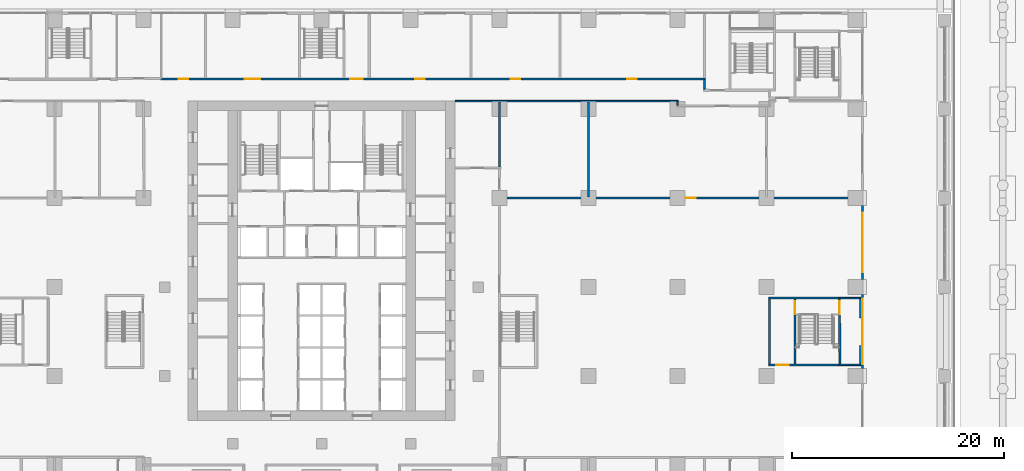
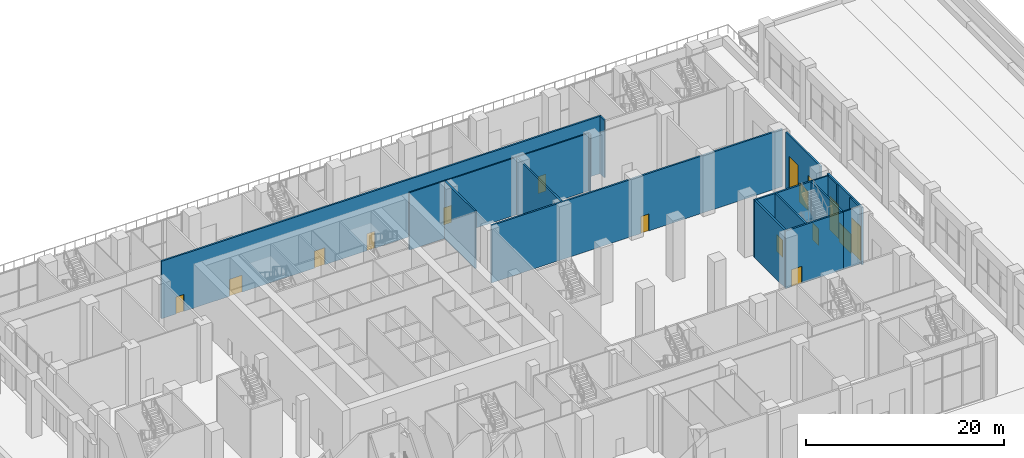
# One storey, part 29 of 53: 18 walls, 12 doors, 4 windows, 16 openings.
"""IFC4 building model written with IfcOpenShell, lengths in metres."""

import ifcopenshell
import ifcopenshell.guid

model = None  # the IFC model being written
_history = None  # IfcOwnerHistory: only IFC2X3 demands one
_inside = {}  # id of a spatial element -> (the spatial element, [elements in it])
_under = {}  # id of a project, library or spatial element -> (it, [spatial elements below it])
_declared = {}  # id of a project -> (the project, [libraries it declares])
_typed = {}  # id of a type object -> (the type object, [elements of that type])
_made_of = {}  # id of a material, layer set ... -> (it, [elements and type objects made of it])


def new_model(schema):
    """Start an empty IFC model of exactly this schema.

    Asked for "IFC4X3", IfcOpenShell would pick the latest addendum, in which some entities
    have other attributes; the version numbers below select the first issue.
    IFC2X3 requires an IfcOwnerHistory on every rooted entity: one is made here for all.
    """
    global model, _history
    if schema == "IFC4X3":
        model = ifcopenshell.file(schema_version=(4, 3, 0, 0))
    else:
        model = ifcopenshell.file(schema=schema)
    _inside.clear()
    _under.clear()
    _declared.clear()
    _typed.clear()
    _made_of.clear()
    _history = None
    if model.schema == "IFC2X3":
        org = make("IfcOrganization", Name="unknown")
        user = make(
            "IfcPersonAndOrganization",
            ThePerson=make("IfcPerson", FamilyName="unknown"),
            TheOrganization=org,
        )
        app = make(
            "IfcApplication",
            ApplicationDeveloper=org,
            Version="unknown",
            ApplicationFullName="unknown",
            ApplicationIdentifier="unknown",
        )
        _history = make(
            "IfcOwnerHistory",
            OwningUser=user,
            OwningApplication=app,
            ChangeAction="ADDED",
            CreationDate=0,
        )
    return model


def make(cls, **values):
    """One entity of the class cls with the attributes given. An attribute that is None is left unset."""
    return model.create_entity(
        cls, **{name: value for name, value in values.items() if value is not None}
    )


def rooted(cls, **values):
    """An entity with a GlobalId (a new one), such as an element, a storey or a relation."""
    return make(cls, GlobalId=ifcopenshell.guid.new(), OwnerHistory=_history, **values)


def si_unit(unit_type, name, prefix=None):
    """IfcSIUnit, for example si_unit("LENGTHUNIT", "METRE", prefix="MILLI")."""
    return make("IfcSIUnit", UnitType=unit_type, Prefix=prefix, Name=name)


def assignment(units):
    """IfcUnitAssignment: the units of a project."""
    return None if units is None else make("IfcUnitAssignment", Units=units)


def point(xyz):
    """IfcCartesianPoint."""
    return None if xyz is None else make("IfcCartesianPoint", Coordinates=xyz)


def direction(xyz):
    """IfcDirection."""
    return None if xyz is None else make("IfcDirection", DirectionRatios=xyz)


def frame(location, z_axis=None, x_axis=None):
    """IfcAxis2Placement3D, a coordinate frame: its origin and axes. An axis left out is left unset."""
    return make(
        "IfcAxis2Placement3D",
        Location=point(location),
        Axis=direction(z_axis),
        RefDirection=direction(x_axis),
    )


def frame_2d(location, x_axis=None):
    """IfcAxis2Placement2D, a coordinate frame in the plane: its origin and x axis."""
    return make(
        "IfcAxis2Placement2D", Location=point(location), RefDirection=direction(x_axis)
    )


def origin():
    """The frame at (0, 0, 0) with its axes left unset."""
    return frame((0.0, 0.0, 0.0))


def place(relative_to, where):
    """IfcLocalPlacement: puts the frame where relative to a parent placement (None: the world)."""
    return make(
        "IfcLocalPlacement", PlacementRelTo=relative_to, RelativePlacement=where
    )


def context(
    kind, dimensions, precision=None, world=None, true_north=None, identifier=None
):
    """IfcGeometricRepresentationContext, for example the 3D "Model" context."""
    return make(
        "IfcGeometricRepresentationContext",
        ContextIdentifier=identifier,
        ContextType=kind,
        CoordinateSpaceDimension=dimensions,
        Precision=precision,
        WorldCoordinateSystem=world,
        TrueNorth=true_north,
    )


def subcontext(parent, identifier, kind, view, scale=None):
    """IfcGeometricRepresentationSubContext, for example "Body" below "Model"."""
    return make(
        "IfcGeometricRepresentationSubContext",
        ContextIdentifier=identifier,
        ContextType=kind,
        ParentContext=parent,
        TargetScale=scale,
        TargetView=view,
    )


def project(units=None, contexts=None):
    """IfcProject with its units and contexts."""
    return rooted(
        "IfcProject",
        Name="project",
        RepresentationContexts=contexts,
        UnitsInContext=assignment(units),
    )


def spatial(cls, under=None, at=None, **own):
    """A site, building, storey or space (cls), placed at a placement, below another one or the project."""
    s = rooted(cls, ObjectPlacement=at, **own)
    if under is not None:
        _under.setdefault(under.id(), (under, []))[1].append(s)
    return s


def profile(cls, at=None, kind="AREA", **sizes):
    """A parametric profile (cls). Its sizes go by their IFC names, for example OverallWidth=200.0."""
    return make(cls, ProfileType=kind, Position=at, **sizes)


def rectangle(**sizes):
    """IfcRectangleProfileDef."""
    return profile("IfcRectangleProfileDef", **sizes)


def extrude(swept, where, along, depth):
    """IfcExtrudedAreaSolid: the profile swept, set in the frame where, extruded along a direction by depth."""
    return make(
        "IfcExtrudedAreaSolid",
        SweptArea=swept,
        Position=where,
        ExtrudedDirection=direction(along),
        Depth=depth,
    )


def shape(context_of_items, identifier, shape_type, items):
    """IfcShapeRepresentation: the items that make up one representation, for example the "Body"."""
    return make(
        "IfcShapeRepresentation",
        ContextOfItems=context_of_items,
        RepresentationIdentifier=identifier,
        RepresentationType=shape_type,
        Items=items,
    )


def material(Name=None, Category=None):
    """IfcMaterial."""
    return make("IfcMaterial", Name=Name, Category=Category)


def layer(
    of_material, thickness, ventilated=None, Name=None, Category=None, Priority=None
):
    """IfcMaterialLayer: one layer of a wall or slab, of a material (None: an air gap)."""
    return make(
        "IfcMaterialLayer",
        Material=of_material,
        LayerThickness=thickness,
        IsVentilated=ventilated,
        Name=Name,
        Category=Category,
        Priority=Priority,
    )


def layer_set(layers, Name=None):
    """IfcMaterialLayerSet."""
    return make("IfcMaterialLayerSet", MaterialLayers=layers, LayerSetName=Name)


def made_of(thing, what):
    """Note that an element or type object is made of a material, layer set ...; save() writes the relation."""
    if what is not None:
        _made_of.setdefault(what.id(), (what, []))[1].append(thing)
    return thing


def type_object(cls, material=None, **own):
    """A type object (cls), such as IfcWallType, which elements share."""
    return made_of(rooted(cls, **own), material)


def element(
    cls,
    number,
    at=None,
    inside=None,
    cuts=None,
    type_object=None,
    material=None,
    context=None,
    identifier="Body",
    shape_type=None,
    held_by="IfcProductDefinitionShape",
    body=None,
    shapes=None,
    **own,
):
    """One element of the class cls, such as IfcWall. Its Tag is "e" and its number.

    at: its placement. inside: the storey or other place that contains it. cuts: it is an
    opening in that element (IfcRelVoidsElement). A single representation is given by context,
    identifier, shape_type and body (its items); several are given by shapes. held_by: the class
    of the entity that holds the representations. save() writes the other relations.
    """
    e = rooted(cls, Tag="e%d" % number, ObjectPlacement=at, **own)
    if body is not None:
        shapes = [shape(context, identifier, shape_type, body)]
    if shapes is not None:
        e.Representation = make(held_by, Representations=shapes)
    if inside is not None:
        _inside.setdefault(inside.id(), (inside, []))[1].append(e)
    if cuts is not None:
        rooted(
            "IfcRelVoidsElement", RelatingBuildingElement=cuts, RelatedOpeningElement=e
        )
    if type_object is not None:
        _typed.setdefault(type_object.id(), (type_object, []))[1].append(e)
    return made_of(e, material)


def fill(opening, filler):
    """IfcRelFillsElement: the door or window that sits in an opening."""
    return rooted(
        "IfcRelFillsElement",
        RelatingOpeningElement=opening,
        RelatedBuildingElement=filler,
    )


def aggregate(whole, parts):
    """IfcRelAggregates: a whole, such as a stair, and the parts it consists of."""
    return rooted("IfcRelAggregates", RelatingObject=whole, RelatedObjects=parts)


def save(model, path):
    """Write the relations noted so far, then the file.

    IfcRelAggregates (storeys below a building ...), IfcRelContainedInSpatialStructure (elements
    in a storey), IfcRelDefinesByType, IfcRelAssociatesMaterial and IfcRelDeclares: one each for
    every whole, place, type object, material and project.
    """
    for whole, parts in _under.values():
        aggregate(whole, parts)
    for where, things in _inside.values():
        rooted(
            "IfcRelContainedInSpatialStructure",
            RelatedElements=things,
            RelatingStructure=where,
        )
    for kind, things in _typed.values():
        rooted("IfcRelDefinesByType", RelatedObjects=things, RelatingType=kind)
    for what, things in _made_of.values():
        rooted("IfcRelAssociatesMaterial", RelatedObjects=things, RelatingMaterial=what)
    for by, libraries in _declared.values():
        rooted("IfcRelDeclares", RelatingContext=by, RelatedDefinitions=libraries)
    model.write(path)


model = new_model("IFC4")

# Units and contexts
model_context = context("Model", 3, precision=1e-05, world=origin(), true_north=direction((0.0, 1.0)))
body_context = subcontext(model_context, "Body", "Model", "MODEL_VIEW")
ifc_project = project(units=[si_unit("LENGTHUNIT", "METRE"), si_unit("AREAUNIT", "SQUARE_METRE"), si_unit("VOLUMEUNIT", "CUBIC_METRE"), si_unit("PLANEANGLEUNIT", "RADIAN"), si_unit("MASSUNIT", "GRAM", prefix="KILO")], contexts=[model_context])

# Site, building, storey
site_placement = place(None, origin())
site = spatial("IfcSite", under=ifc_project, at=site_placement, CompositionType="ELEMENT")
building_placement = place(site_placement, origin())
building = spatial("IfcBuilding", under=site, at=building_placement, Name="Vermilion Ogive Tower", CompositionType="ELEMENT")
storey_placement = place(building_placement, origin())
storey = spatial("IfcBuildingStorey", under=building, at=storey_placement, Name="L00", CompositionType="ELEMENT", Elevation=0.0)

# Walls
ifc_material_1 = material(Name="Gypsum board partition on steel studs", Category="steel")
ifc_layer_1 = layer(ifc_material_1, 0.14990234375)
ifc_layer_set_1 = layer_set([ifc_layer_1], Name="Partition 150 corridor")
wall_type_1 = type_object("IfcWallType", Name="Partition 150 corridor", PredefinedType="PARTITIONING", material=ifc_layer_set_1)
for number, where, z_axis, x_axis, name in (
    (1, (48.824951171875, -3.14990234375, 0.0), (0.0, 0.0, 1.0), (1.0, 0.0, 0.0), "L00-FS-W-W029"),
    (2, (48.824951171875, 3.14990234375, 0.0), (0.0, 0.0, 1.0), (1.0, 0.0, 0.0), "L00-FS-W-W032"),
):
    element("IfcWall", number, at=place(storey_placement, frame(where, z_axis=z_axis, x_axis=x_axis)), inside=storey, type_object=wall_type_1, Name=name, PredefinedType="PARTITIONING", context=body_context, shape_type="SweptSolid", body=[
        extrude(rectangle(XDim=2.10009765625, YDim=0.14990234375, at=frame_2d((1.050048828125, 0.0))), origin(), (0.0, 0.0, 1.0), 7.10009765625),
    ])
wall_1_placement = place(storey_placement, frame((12.60107421875, 21.75, 0.0), z_axis=(0.0, 0.0, 1.0), x_axis=(1.0, 0.0, 0.0)))
element("IfcWall", 3, at=wall_1_placement, inside=storey, type_object=wall_type_1, Name="L00-FS-W-W038", PredefinedType="PARTITIONING", context=body_context, shape_type="SweptSolid", body=[
    extrude(rectangle(XDim=21.073974609375, YDim=0.14990234375, at=frame_2d((10.537109375, 0.0))), origin(), (0.0, 0.0, 1.0), 7.10009765625),
])
wall_2_placement = place(storey_placement, frame((33.60009765625, 21.375, 0.0), z_axis=(0.0, 0.0, 1.0), x_axis=(0.0, 1.0, 0.0)))
element("IfcWall", 4, at=wall_2_placement, inside=storey, type_object=wall_type_1, Name="L00-FS-W-W104", PredefinedType="PARTITIONING", context=body_context, shape_type="SweptSolid", body=[
    extrude(rectangle(XDim=0.300048828125, YDim=0.14990234375, at=frame_2d((0.14990234375, 0.0))), origin(), (0.0, 0.0, 1.0), 7.10009765625),
])
wall_3_placement = place(storey_placement, frame((36.14990234375, 22.875, 0.0), z_axis=(0.0, 0.0, 1.0), x_axis=(0.0, 1.0, 0.0)))
element("IfcWall", 5, at=wall_3_placement, inside=storey, type_object=wall_type_1, Name="L00-FS-W-W107", PredefinedType="PARTITIONING", context=body_context, shape_type="SweptSolid", body=[
    extrude(rectangle(XDim=0.89990234375, YDim=0.14990234375, at=frame_2d((0.449951171875, 0.0))), origin(), (0.0, 0.0, 1.0), 7.10009765625),
])
for number, where, z_axis, x_axis, name in (
    (6, (50.873046875, -3.074951171875, 0.0), (0.0, 0.0, 1.0), (0.0, 1.0, 0.0), "L00-FS-W-W127"),
    (7, (50.873046875, 1.324951171875, 0.0), (0.0, 0.0, 1.0), (0.0, 1.0, 0.0), "L00-FS-W-W127"),
):
    element("IfcWall", number, at=place(storey_placement, frame(where, z_axis=z_axis, x_axis=x_axis)), inside=storey, type_object=wall_type_1, Name=name, PredefinedType="PARTITIONING", context=body_context, shape_type="SweptSolid", body=[
        extrude(rectangle(XDim=1.75, YDim=0.14990234375, at=frame_2d((0.875, 0.0))), origin(), (0.0, 0.0, 1.0), 7.10009765625),
    ])

# Wall, opening, door
ifc_material_2 = material(Name="Gypsum board partition on steel studs", Category="steel")
ifc_layer_2 = layer(ifc_material_2, 0.199951171875)
ifc_layer_set_2 = layer_set([ifc_layer_2], Name="Partition 200 party")
wall_type_2 = type_object("IfcWallType", Name="Partition 200 party", PredefinedType="PARTITIONING", material=ifc_layer_set_2)
wall_4_placement = place(storey_placement, frame((16.875, 12.60009765625, 0.0), z_axis=(0.0, 0.0, 1.0), x_axis=(1.0, 0.0, 0.0)))
wall_4 = element("IfcWall", 8, at=wall_4_placement, inside=storey, type_object=wall_type_2, Name="L00-FS-W-W034", PredefinedType="PARTITIONING", context=body_context, shape_type="SweptSolid", body=[
    extrude(rectangle(XDim=34.074951171875, YDim=0.199951171875, at=frame_2d((17.03759765625, 0.0))), origin(), (0.0, 0.0, 1.0), 7.10009765625),
])
opening_1_placement = place(wall_4_placement, frame((17.52490234375, 0.0, 0.0)))
opening_1 = element("IfcOpeningElement", 9, at=opening_1_placement, cuts=wall_4, Name="Opening L00S045", PredefinedType="OPENING", context=body_context, shape_type="SweptSolid", body=[
    extrude(rectangle(XDim=0.89990234375, YDim=2.10009765625, at=frame_2d((0.449951171875, 1.050048828125))), frame((0.0, 0.10986328125, 0.0), z_axis=(0.0, -1.0, 0.0), x_axis=(1.0, 0.0, 0.0)), (0.0, 0.0, 1.0), 0.219970703125),
])
ifc_material_3 = material(Name="Timber door leaf", Category="wood")
door_type_1 = type_object("IfcDoorType", Name="Room door 900 x 2100 FD30", OperationType="SINGLE_SWING_LEFT", PredefinedType="DOOR", material=ifc_material_3)
door_1_placement = place(opening_1_placement, origin())
door_1 = element("IfcDoor", 10, at=door_1_placement, inside=storey, type_object=door_type_1, Name="L00-FS-D-D045", OperationType="SINGLE_SWING_RIGHT", OverallHeight=2.10009765625, OverallWidth=0.89990234375, PredefinedType="DOOR", context=body_context, shape_type="SweptSolid", body=[
    extrude(rectangle(XDim=0.89990234375, YDim=2.10009765625, at=frame_2d((0.449951171875, 1.050048828125))), frame((0.0, 0.02490234375, 0.0), z_axis=(0.0, -1.0, 0.0), x_axis=(1.0, 0.0, 0.0)), (0.0, 0.0, 1.0), 0.050048828125),
])
fill(opening_1, door_1)

# Walls
wall_5_placement = place(storey_placement, frame((16.800048828125, 15.52490234375, 0.0), z_axis=(0.0, 0.0, 1.0), x_axis=(0.0, 1.0, 0.0)))
element("IfcWall", 11, at=wall_5_placement, inside=storey, type_object=wall_type_2, Name="L00-FS-W-W092", PredefinedType="PARTITIONING", context=body_context, shape_type="SweptSolid", body=[
    extrude(rectangle(XDim=6.150146484375, YDim=0.199951171875, at=frame_2d((3.0751953125, 0.0))), origin(), (0.0, 0.0, 1.0), 7.10009765625),
])
wall_6_placement = place(storey_placement, frame((25.199951171875, 12.699951171875, 0.0), z_axis=(0.0, 0.0, 1.0), x_axis=(0.0, 1.0, 0.0)))
element("IfcWall", 12, at=wall_6_placement, inside=storey, type_object=wall_type_2, Name="L00-FS-W-W100", PredefinedType="PARTITIONING", context=body_context, shape_type="SweptSolid", body=[
    extrude(rectangle(XDim=8.97509765625, YDim=0.199951171875, at=frame_2d((4.487548828125, 0.0))), origin(), (0.0, 0.0, 1.0), 7.10009765625),
])
wall_7_placement = place(storey_placement, frame((42.300048828125, -3.050048828125, 0.0), z_axis=(0.0, 0.0, 1.0), x_axis=(0.0, 1.0, 0.0)))
element("IfcWall", 13, at=wall_7_placement, inside=storey, type_object=wall_type_2, Name="L00-FS-W-W113", PredefinedType="PARTITIONING", context=body_context, shape_type="SweptSolid", body=[
    extrude(rectangle(XDim=6.10009765625, YDim=0.199951171875, at=frame_2d((3.050048828125, 0.0))), origin(), (0.0, 0.0, 1.0), 7.10009765625),
])

# Wall, opening, door
ifc_material_4 = material(Name="Concrete B60", Category="concrete")
ifc_layer_3 = layer(ifc_material_4, 0.199951171875)
ifc_layer_set_3 = layer_set([ifc_layer_3], Name="Stair shaft wall 200 Concrete B60")
wall_type_3 = type_object("IfcWallType", Name="Stair shaft wall 200 Concrete B60", PredefinedType="SOLIDWALL", material=ifc_layer_set_3)
wall_8_placement = place(storey_placement, frame((42.199951171875, -3.14990234375, 0.0), z_axis=(0.0, 0.0, 1.0), x_axis=(1.0, 0.0, 0.0)))
wall_8 = element("IfcWall", 14, at=wall_8_placement, inside=storey, type_object=wall_type_3, Name="L00-FS-W-W028", PredefinedType="SOLIDWALL", context=body_context, shape_type="SweptSolid", body=[
    extrude(rectangle(XDim=6.775146484375, YDim=0.199951171875, at=frame_2d((3.3876953125, 0.0))), origin(), (0.0, 0.0, 1.0), 7.10009765625),
])
opening_2_placement = place(wall_8_placement, frame((0.699951171875, 0.0, 0.0)))
opening_2 = element("IfcOpeningElement", 15, at=opening_2_placement, cuts=wall_8, Name="Opening L00S024", PredefinedType="OPENING", context=body_context, shape_type="SweptSolid", body=[
    extrude(rectangle(XDim=1.199951171875, YDim=2.10009765625, at=frame_2d((0.60009765625, 1.050048828125))), frame((0.0, 0.10986328125, 0.0), z_axis=(0.0, -1.0, 0.0), x_axis=(1.0, 0.0, 0.0)), (0.0, 0.0, 1.0), 0.219970703125),
])
ifc_material_5 = material(Name="Timber door leaf", Category="wood")
door_type_2 = type_object("IfcDoorType", Name="Stair door 1200 x 2100 FD60S", OperationType="SINGLE_SWING_LEFT", PredefinedType="DOOR", material=ifc_material_5)
door_2_placement = place(opening_2_placement, origin())
door_2 = element("IfcDoor", 16, at=door_2_placement, inside=storey, type_object=door_type_2, Name="L00-FS-D-D024", OperationType="SINGLE_SWING_LEFT", OverallHeight=2.10009765625, OverallWidth=1.199951171875, PredefinedType="DOOR", context=body_context, shape_type="SweptSolid", body=[
    extrude(rectangle(XDim=1.199951171875, YDim=2.10009765625, at=frame_2d((0.60009765625, 1.050048828125))), frame((0.0, 0.02490234375, 0.0), z_axis=(0.0, -1.0, 0.0), x_axis=(1.0, 0.0, 0.0)), (0.0, 0.0, 1.0), 0.050048828125),
])
fill(opening_2, door_2)

# Wall
wall_9_placement = place(storey_placement, frame((42.199951171875, 3.14990234375, 0.0), z_axis=(0.0, 0.0, 1.0), x_axis=(1.0, 0.0, 0.0)))
element("IfcWall", 17, at=wall_9_placement, inside=storey, type_object=wall_type_3, Name="L00-FS-W-W031", PredefinedType="SOLIDWALL", context=body_context, shape_type="SweptSolid", body=[
    extrude(rectangle(XDim=6.775146484375, YDim=0.199951171875, at=frame_2d((3.3876953125, 0.0))), origin(), (0.0, 0.0, 1.0), 7.10009765625),
])

# Wall, openings, doors
wall_10_placement = place(storey_placement, frame((-15.199951171875, 23.8251953125, 0.0), z_axis=(0.0, 0.0, 1.0), x_axis=(1.0, 0.0, 0.0)))
wall_10 = element("IfcWall", 18, at=wall_10_placement, inside=storey, type_object=wall_type_3, Name="L00-FS-W-W045", PredefinedType="SOLIDWALL", context=body_context, shape_type="SweptSolid", body=[
    extrude(rectangle(XDim=51.449951171875, YDim=0.199951171875, at=frame_2d((25.72509765625, 0.0))), origin(), (0.0, 0.0, 1.0), 7.10009765625),
])
opening_3_placement = place(wall_10_placement, frame((17.89990234375, 0.0, 0.0)))
opening_3 = element("IfcOpeningElement", 19, at=opening_3_placement, cuts=wall_10, Name="Opening L00S021", PredefinedType="OPENING", context=body_context, shape_type="SweptSolid", body=[
    extrude(rectangle(XDim=1.199951171875, YDim=2.10009765625, at=frame_2d((0.60009765625, 1.050048828125))), frame((0.0, 0.10986328125, 0.0), z_axis=(0.0, -1.0, 0.0), x_axis=(1.0, 0.0, 0.0)), (0.0, 0.0, 1.0), 0.219970703125),
])
opening_4_placement = place(wall_10_placement, frame((1.699951171875, 0.0, 0.0)))
opening_4 = element("IfcOpeningElement", 20, at=opening_4_placement, cuts=wall_10, Name="Opening L00S059", PredefinedType="OPENING", context=body_context, shape_type="SweptSolid", body=[
    extrude(rectangle(XDim=0.89990234375, YDim=2.10009765625, at=frame_2d((0.449951171875, 1.050048828125))), frame((0.0, 0.10986328125, 0.0), z_axis=(0.0, -1.0, 0.0), x_axis=(1.0, 0.0, 0.0)), (0.0, 0.0, 1.0), 0.219970703125),
])
opening_5_placement = place(wall_10_placement, frame((7.925048828125, 0.0, 0.0)))
opening_5 = element("IfcOpeningElement", 21, at=opening_5_placement, cuts=wall_10, Name="Opening L00S060", PredefinedType="OPENING", context=body_context, shape_type="SweptSolid", body=[
    extrude(rectangle(XDim=1.5, YDim=2.10009765625, at=frame_2d((0.75, 1.050048828125))), frame((0.0, 0.10986328125, 0.0), z_axis=(0.0, -1.0, 0.0), x_axis=(1.0, 0.0, 0.0)), (0.0, 0.0, 1.0), 0.219970703125),
])
opening_6_placement = place(wall_10_placement, frame((24.050048828125, 0.0, 0.0)))
opening_6 = element("IfcOpeningElement", 22, at=opening_6_placement, cuts=wall_10, Name="Opening L00S061", PredefinedType="OPENING", context=body_context, shape_type="SweptSolid", body=[
    extrude(rectangle(XDim=0.89990234375, YDim=2.10009765625, at=frame_2d((0.449951171875, 1.050048828125))), frame((0.0, 0.10986328125, 0.0), z_axis=(0.0, -1.0, 0.0), x_axis=(1.0, 0.0, 0.0)), (0.0, 0.0, 1.0), 0.219970703125),
])
opening_7_placement = place(wall_10_placement, frame((33.050048828125, 0.0, 0.0)))
opening_7 = element("IfcOpeningElement", 23, at=opening_7_placement, cuts=wall_10, Name="Opening L00S062", PredefinedType="OPENING", context=body_context, shape_type="SweptSolid", body=[
    extrude(rectangle(XDim=0.89990234375, YDim=2.10009765625, at=frame_2d((0.449951171875, 1.050048828125))), frame((0.0, 0.10986328125, 0.0), z_axis=(0.0, -1.0, 0.0), x_axis=(1.0, 0.0, 0.0)), (0.0, 0.0, 1.0), 0.219970703125),
])
opening_8_placement = place(wall_10_placement, frame((44.074951171875, 0.0, 0.0)))
opening_8 = element("IfcOpeningElement", 24, at=opening_8_placement, cuts=wall_10, Name="Opening L00S063", PredefinedType="OPENING", context=body_context, shape_type="SweptSolid", body=[
    extrude(rectangle(XDim=0.89990234375, YDim=2.10009765625, at=frame_2d((0.449951171875, 1.050048828125))), frame((0.0, 0.10986328125, 0.0), z_axis=(0.0, -1.0, 0.0), x_axis=(1.0, 0.0, 0.0)), (0.0, 0.0, 1.0), 0.219970703125),
])
ifc_material_6 = material(Name="Timber door leaf", Category="wood")
door_type_3 = type_object("IfcDoorType", Name="Assembly door 1500 x 2100 FD30", OperationType="DOUBLE_DOOR_SINGLE_SWING", PredefinedType="DOOR", material=ifc_material_6)
door_3_placement = place(opening_5_placement, origin())
door_3 = element("IfcDoor", 25, at=door_3_placement, inside=storey, type_object=door_type_3, Name="L00-FS-D-D060", OperationType="DOUBLE_DOOR_SINGLE_SWING", OverallHeight=2.10009765625, OverallWidth=1.5, PredefinedType="DOOR", context=body_context, shape_type="SweptSolid", body=[
    extrude(rectangle(XDim=1.5, YDim=2.10009765625, at=frame_2d((0.75, 1.050048828125))), frame((0.0, 0.02490234375, 0.0), z_axis=(0.0, -1.0, 0.0), x_axis=(1.0, 0.0, 0.0)), (0.0, 0.0, 1.0), 0.050048828125),
])
fill(opening_5, door_3)
door_4_placement = place(opening_4_placement, origin())
door_4 = element("IfcDoor", 26, at=door_4_placement, inside=storey, type_object=door_type_1, Name="L00-FS-D-D059", OperationType="SINGLE_SWING_RIGHT", OverallHeight=2.10009765625, OverallWidth=0.89990234375, PredefinedType="DOOR", context=body_context, shape_type="SweptSolid", body=[
    extrude(rectangle(XDim=0.89990234375, YDim=2.10009765625, at=frame_2d((0.449951171875, 1.050048828125))), frame((0.0, 0.02490234375, 0.0), z_axis=(0.0, -1.0, 0.0), x_axis=(1.0, 0.0, 0.0)), (0.0, 0.0, 1.0), 0.050048828125),
])
fill(opening_4, door_4)
door_5_placement = place(opening_6_placement, origin())
door_5 = element("IfcDoor", 27, at=door_5_placement, inside=storey, type_object=door_type_1, Name="L00-FS-D-D061", OperationType="SINGLE_SWING_LEFT", OverallHeight=2.10009765625, OverallWidth=0.89990234375, PredefinedType="DOOR", context=body_context, shape_type="SweptSolid", body=[
    extrude(rectangle(XDim=0.89990234375, YDim=2.10009765625, at=frame_2d((0.449951171875, 1.050048828125))), frame((0.0, 0.02490234375, 0.0), z_axis=(0.0, -1.0, 0.0), x_axis=(1.0, 0.0, 0.0)), (0.0, 0.0, 1.0), 0.050048828125),
])
fill(opening_6, door_5)
door_6_placement = place(opening_7_placement, origin())
door_6 = element("IfcDoor", 28, at=door_6_placement, inside=storey, type_object=door_type_1, Name="L00-FS-D-D062", OperationType="SINGLE_SWING_LEFT", OverallHeight=2.10009765625, OverallWidth=0.89990234375, PredefinedType="DOOR", context=body_context, shape_type="SweptSolid", body=[
    extrude(rectangle(XDim=0.89990234375, YDim=2.10009765625, at=frame_2d((0.449951171875, 1.050048828125))), frame((0.0, 0.02490234375, 0.0), z_axis=(0.0, -1.0, 0.0), x_axis=(1.0, 0.0, 0.0)), (0.0, 0.0, 1.0), 0.050048828125),
])
fill(opening_7, door_6)
door_7_placement = place(opening_8_placement, origin())
door_7 = element("IfcDoor", 29, at=door_7_placement, inside=storey, type_object=door_type_1, Name="L00-FS-D-D063", OperationType="SINGLE_SWING_RIGHT", OverallHeight=2.10009765625, OverallWidth=0.89990234375, PredefinedType="DOOR", context=body_context, shape_type="SweptSolid", body=[
    extrude(rectangle(XDim=0.89990234375, YDim=2.10009765625, at=frame_2d((0.449951171875, 1.050048828125))), frame((0.0, 0.02490234375, 0.0), z_axis=(0.0, -1.0, 0.0), x_axis=(1.0, 0.0, 0.0)), (0.0, 0.0, 1.0), 0.050048828125),
])
fill(opening_8, door_7)
door_8_placement = place(opening_3_placement, origin())
door_8 = element("IfcDoor", 30, at=door_8_placement, inside=storey, type_object=door_type_2, Name="L00-FS-D-D021", OperationType="SINGLE_SWING_RIGHT", OverallHeight=2.10009765625, OverallWidth=1.199951171875, PredefinedType="DOOR", context=body_context, shape_type="SweptSolid", body=[
    extrude(rectangle(XDim=1.199951171875, YDim=2.10009765625, at=frame_2d((0.60009765625, 1.050048828125))), frame((0.0, 0.02490234375, 0.0), z_axis=(0.0, -1.0, 0.0), x_axis=(1.0, 0.0, 0.0)), (0.0, 0.0, 1.0), 0.050048828125),
])
fill(opening_3, door_8)

# Wall, opening, door
wall_11_placement = place(storey_placement, frame((44.699951171875, -3.050048828125, 0.0), z_axis=(0.0, 0.0, 1.0), x_axis=(0.0, 1.0, 0.0)))
wall_11 = element("IfcWall", 31, at=wall_11_placement, inside=storey, type_object=wall_type_3, Name="L00-FS-W-W120", PredefinedType="SOLIDWALL", context=body_context, shape_type="SweptSolid", body=[
    extrude(rectangle(XDim=6.10009765625, YDim=0.199951171875, at=frame_2d((3.050048828125, 0.0))), origin(), (0.0, 0.0, 1.0), 7.10009765625),
])
opening_9_placement = place(wall_11_placement, frame((4.7001953125, 0.0, 0.0)))
opening_9 = element("IfcOpeningElement", 32, at=opening_9_placement, cuts=wall_11, Name="Opening L00S009", PredefinedType="OPENING", context=body_context, shape_type="SweptSolid", body=[
    extrude(rectangle(XDim=1.199951171875, YDim=2.10009765625, at=frame_2d((0.60009765625, 1.050048828125))), frame((0.0, 0.10986328125, 0.0), z_axis=(0.0, -1.0, 0.0), x_axis=(1.0, 0.0, 0.0)), (0.0, 0.0, 1.0), 0.219970703125),
])
door_9_placement = place(opening_9_placement, origin())
door_9 = element("IfcDoor", 33, at=door_9_placement, inside=storey, type_object=door_type_2, Name="L00-FS-D-D009", OperationType="DOUBLE_DOOR_SINGLE_SWING", OverallHeight=2.10009765625, OverallWidth=1.199951171875, PredefinedType="DOOR", context=body_context, shape_type="SweptSolid", body=[
    extrude(rectangle(XDim=1.199951171875, YDim=2.10009765625, at=frame_2d((0.60009765625, 1.050048828125))), frame((0.0, 0.02490234375, 0.0), z_axis=(0.0, -1.0, 0.0), x_axis=(1.0, 0.0, 0.0)), (0.0, 0.0, 1.0), 0.050048828125),
])
fill(opening_9, door_9)

wall_12_placement = place(storey_placement, frame((48.9248046875, -3.050048828125, 0.0), z_axis=(0.0, 0.0, 1.0), x_axis=(-0.004065655173, 0.99999173519, 0.0)))
wall_12 = element("IfcWall", 34, at=wall_12_placement, inside=storey, type_object=wall_type_3, Name="L00-FS-W-W123", PredefinedType="SOLIDWALL", context=body_context, shape_type="SweptSolid", body=[
    extrude(rectangle(XDim=6.125, YDim=0.199951171875, at=frame_2d((3.0625, 0.0))), origin(), (0.0, 0.0, 1.0), 7.10009765625),
])
opening_10_placement = place(wall_12_placement, frame((4.7001953125, 0.0, 0.0)))
opening_10 = element("IfcOpeningElement", 35, at=opening_10_placement, cuts=wall_12, Name="Opening L00S010", PredefinedType="OPENING", context=body_context, shape_type="SweptSolid", body=[
    extrude(rectangle(XDim=1.199951171875, YDim=2.10009765625, at=frame_2d((0.60009765625, 1.050048828125))), frame((0.0, 0.10986328125, 0.0), z_axis=(0.0, -1.0, 0.0), x_axis=(1.0, 0.0, 0.0)), (0.0, 0.0, 1.0), 0.219970703125),
])
door_10_placement = place(opening_10_placement, origin())
door_10 = element("IfcDoor", 36, at=door_10_placement, inside=storey, type_object=door_type_2, Name="L00-FS-D-D010", OperationType="DOUBLE_DOOR_SINGLE_SWING", OverallHeight=2.10009765625, OverallWidth=1.199951171875, PredefinedType="DOOR", context=body_context, shape_type="SweptSolid", body=[
    extrude(rectangle(XDim=1.199951171875, YDim=2.10009765625, at=frame_2d((0.60009765625, 1.050048828125))), frame((0.0, 0.02490234375, 0.0), z_axis=(0.0, -1.0, 0.0), x_axis=(1.0, 0.0, 0.0)), (0.0, 0.0, 1.0), 0.050048828125),
])
fill(opening_10, door_10)

# Wall, openings, door, windows
ifc_material_7 = material(Name="Aluminium window wall framing", Category="aluminium")
ifc_layer_4 = layer(ifc_material_7, 0.199951171875)
ifc_layer_set_4 = layer_set([ifc_layer_4], Name="Window wall")
wall_type_4 = type_object("IfcWallType", Name="Window wall", PredefinedType="STANDARD", material=ifc_layer_set_4)
wall_13_placement = place(storey_placement, frame((51.050048828125, 3.5, 0.0), z_axis=(0.0, 0.0, 1.0), x_axis=(0.0, -1.0, 0.0)))
wall_13 = element("IfcWall", 37, at=wall_13_placement, inside=storey, type_object=wall_type_4, Name="Window wall E4", PredefinedType="STANDARD", context=body_context, shape_type="SweptSolid", body=[
    extrude(rectangle(XDim=7.0, YDim=0.199951171875, at=frame_2d((3.5, 0.0))), origin(), (0.0, 0.0, 1.0), 7.10009765625),
])
opening_11_placement = place(wall_13_placement, frame((4.800048828125, 0.0, 0.300048828125)))
opening_11 = element("IfcOpeningElement", 38, at=opening_11_placement, cuts=wall_13, Name="Opening P-E4A", PredefinedType="OPENING", context=body_context, shape_type="SweptSolid", body=[
    extrude(rectangle(XDim=1.800048828125, YDim=4.199951171875, at=frame_2d((0.89990234375, 2.10009765625))), frame((0.0, 0.10986328125, 0.0), z_axis=(0.0, -1.0, 0.0), x_axis=(1.0, 0.0, 0.0)), (0.0, 0.0, 1.0), 0.219970703125),
])
opening_12_placement = place(wall_13_placement, frame((2.300048828125, 0.0, 0.0)))
opening_12 = element("IfcOpeningElement", 39, at=opening_12_placement, cuts=wall_13, Name="Opening E1-E4", PredefinedType="OPENING", context=body_context, shape_type="SweptSolid", body=[
    extrude(rectangle(XDim=2.39990234375, YDim=2.39990234375, at=frame_2d((1.199951171875, 1.199951171875))), frame((0.0, 0.10986328125, 0.0), z_axis=(0.0, -1.0, 0.0), x_axis=(1.0, 0.0, 0.0)), (0.0, 0.0, 1.0), 0.219970703125),
])
opening_13_placement = place(wall_13_placement, frame((0.39990234375, 0.0, 0.300048828125)))
opening_13 = element("IfcOpeningElement", 40, at=opening_13_placement, cuts=wall_13, Name="Opening P-E4B", PredefinedType="OPENING", context=body_context, shape_type="SweptSolid", body=[
    extrude(rectangle(XDim=1.800048828125, YDim=4.199951171875, at=frame_2d((0.89990234375, 2.10009765625))), frame((0.0, 0.10986328125, 0.0), z_axis=(0.0, -1.0, 0.0), x_axis=(1.0, 0.0, 0.0)), (0.0, 0.0, 1.0), 0.219970703125),
])
ifc_material_8 = material(Name="Aluminium framed glazed door", Category="aluminium")
door_type_4 = type_object("IfcDoorType", Name="Entrance door E1", OperationType="DOUBLE_DOOR_SINGLE_SWING", PredefinedType="DOOR", material=ifc_material_8)
door_11_placement = place(opening_12_placement, origin())
door_11 = element("IfcDoor", 41, at=door_11_placement, inside=storey, type_object=door_type_4, Name="Entrance door E4", OperationType="SINGLE_SWING_LEFT", OverallHeight=2.39990234375, OverallWidth=2.39990234375, PredefinedType="DOOR", context=body_context, shape_type="SweptSolid", body=[
    extrude(rectangle(XDim=2.39990234375, YDim=2.39990234375, at=frame_2d((1.199951171875, 1.199951171875))), frame((0.0, 0.02490234375, 0.0), z_axis=(0.0, -1.0, 0.0), x_axis=(1.0, 0.0, 0.0)), (0.0, 0.0, 1.0), 0.050048828125),
])
fill(opening_12, door_11)
ifc_material_9 = material(Name="Aluminium framed double glazing", Category="aluminium")
window_type = type_object("IfcWindowType", Name="Podium window P 1800x4200 sill 300", PartitioningType="SINGLE_PANEL", PredefinedType="WINDOW", material=ifc_material_9)
window_1_placement = place(opening_11_placement, origin())
window_1 = element("IfcWindow", 42, at=window_1_placement, inside=storey, type_object=window_type, Name="Window E4A", OverallHeight=4.199951171875, OverallWidth=1.800048828125, PartitioningType="SINGLE_PANEL", PredefinedType="WINDOW", context=body_context, shape_type="SweptSolid", body=[
    extrude(rectangle(XDim=1.800048828125, YDim=4.199951171875, at=frame_2d((0.89990234375, 2.10009765625))), frame((0.0, 0.030029296875, 0.0), z_axis=(0.0, -1.0, 0.0), x_axis=(1.0, 0.0, 0.0)), (0.0, 0.0, 1.0), 0.06005859375),
])
fill(opening_11, window_1)
window_2_placement = place(opening_13_placement, origin())
window_2 = element("IfcWindow", 43, at=window_2_placement, inside=storey, type_object=window_type, Name="Window E4B", OverallHeight=4.199951171875, OverallWidth=1.800048828125, PartitioningType="SINGLE_PANEL", PredefinedType="WINDOW", context=body_context, shape_type="SweptSolid", body=[
    extrude(rectangle(XDim=1.800048828125, YDim=4.199951171875, at=frame_2d((0.89990234375, 2.10009765625))), frame((0.0, 0.030029296875, 0.0), z_axis=(0.0, -1.0, 0.0), x_axis=(1.0, 0.0, 0.0)), (0.0, 0.0, 1.0), 0.06005859375),
])
fill(opening_13, window_2)

# Wall, openings, windows, door
wall_14_placement = place(storey_placement, frame((51.050048828125, 11.89990234375, 0.0), z_axis=(0.0, 0.0, 1.0), x_axis=(0.0, -1.0, 0.0)))
wall_14 = element("IfcWall", 44, at=wall_14_placement, inside=storey, type_object=wall_type_4, Name="Window wall E5", PredefinedType="STANDARD", context=body_context, shape_type="SweptSolid", body=[
    extrude(rectangle(XDim=7.0, YDim=0.199951171875, at=frame_2d((3.5, 0.0))), origin(), (0.0, 0.0, 1.0), 7.10009765625),
])
opening_14_placement = place(wall_14_placement, frame((4.5, 0.0, 0.300048828125)))
opening_14 = element("IfcOpeningElement", 45, at=opening_14_placement, cuts=wall_14, Name="Opening P-E5A", PredefinedType="OPENING", context=body_context, shape_type="SweptSolid", body=[
    extrude(rectangle(XDim=1.800048828125, YDim=4.199951171875, at=frame_2d((0.89990234375, 2.10009765625))), frame((0.0, 0.10986328125, 0.0), z_axis=(0.0, -1.0, 0.0), x_axis=(1.0, 0.0, 0.0)), (0.0, 0.0, 1.0), 0.219970703125),
])
opening_15_placement = place(wall_14_placement, frame((2.60009765625, 0.0, 0.0)))
opening_15 = element("IfcOpeningElement", 46, at=opening_15_placement, cuts=wall_14, Name="Opening D2-E5", PredefinedType="OPENING", context=body_context, shape_type="SweptSolid", body=[
    extrude(rectangle(XDim=1.800048828125, YDim=2.39990234375, at=frame_2d((0.89990234375, 1.199951171875))), frame((0.0, 0.10986328125, 0.0), z_axis=(0.0, -1.0, 0.0), x_axis=(1.0, 0.0, 0.0)), (0.0, 0.0, 1.0), 0.219970703125),
])
opening_16_placement = place(wall_14_placement, frame((0.699951171875, 0.0, 0.300048828125)))
opening_16 = element("IfcOpeningElement", 47, at=opening_16_placement, cuts=wall_14, Name="Opening P-E5B", PredefinedType="OPENING", context=body_context, shape_type="SweptSolid", body=[
    extrude(rectangle(XDim=1.800048828125, YDim=4.199951171875, at=frame_2d((0.89990234375, 2.10009765625))), frame((0.0, 0.10986328125, 0.0), z_axis=(0.0, -1.0, 0.0), x_axis=(1.0, 0.0, 0.0)), (0.0, 0.0, 1.0), 0.219970703125),
])
window_3_placement = place(opening_14_placement, origin())
window_3 = element("IfcWindow", 48, at=window_3_placement, inside=storey, type_object=window_type, Name="Window E5A", OverallHeight=4.199951171875, OverallWidth=1.800048828125, PartitioningType="SINGLE_PANEL", PredefinedType="WINDOW", context=body_context, shape_type="SweptSolid", body=[
    extrude(rectangle(XDim=1.800048828125, YDim=4.199951171875, at=frame_2d((0.89990234375, 2.10009765625))), frame((0.0, 0.030029296875, 0.0), z_axis=(0.0, -1.0, 0.0), x_axis=(1.0, 0.0, 0.0)), (0.0, 0.0, 1.0), 0.06005859375),
])
fill(opening_14, window_3)
window_4_placement = place(opening_16_placement, origin())
window_4 = element("IfcWindow", 49, at=window_4_placement, inside=storey, type_object=window_type, Name="Window E5B", OverallHeight=4.199951171875, OverallWidth=1.800048828125, PartitioningType="SINGLE_PANEL", PredefinedType="WINDOW", context=body_context, shape_type="SweptSolid", body=[
    extrude(rectangle(XDim=1.800048828125, YDim=4.199951171875, at=frame_2d((0.89990234375, 2.10009765625))), frame((0.0, 0.030029296875, 0.0), z_axis=(0.0, -1.0, 0.0), x_axis=(1.0, 0.0, 0.0)), (0.0, 0.0, 1.0), 0.06005859375),
])
fill(opening_16, window_4)
ifc_material_10 = material(Name="Aluminium framed glazed door", Category="aluminium")
door_type_5 = type_object("IfcDoorType", Name="Terrace door D2", OperationType="SINGLE_SWING_LEFT", PredefinedType="DOOR", material=ifc_material_10)
door_12_placement = place(opening_15_placement, origin())
door_12 = element("IfcDoor", 50, at=door_12_placement, inside=storey, type_object=door_type_5, Name="Terrace door E5", OperationType="SINGLE_SWING_LEFT", OverallHeight=2.39990234375, OverallWidth=1.800048828125, PredefinedType="DOOR", context=body_context, shape_type="SweptSolid", body=[
    extrude(rectangle(XDim=1.800048828125, YDim=2.39990234375, at=frame_2d((0.89990234375, 1.199951171875))), frame((0.0, 0.02490234375, 0.0), z_axis=(0.0, -1.0, 0.0), x_axis=(1.0, 0.0, 0.0)), (0.0, 0.0, 1.0), 0.050048828125),
])
fill(opening_15, door_12)

save(model, "model.ifc")
